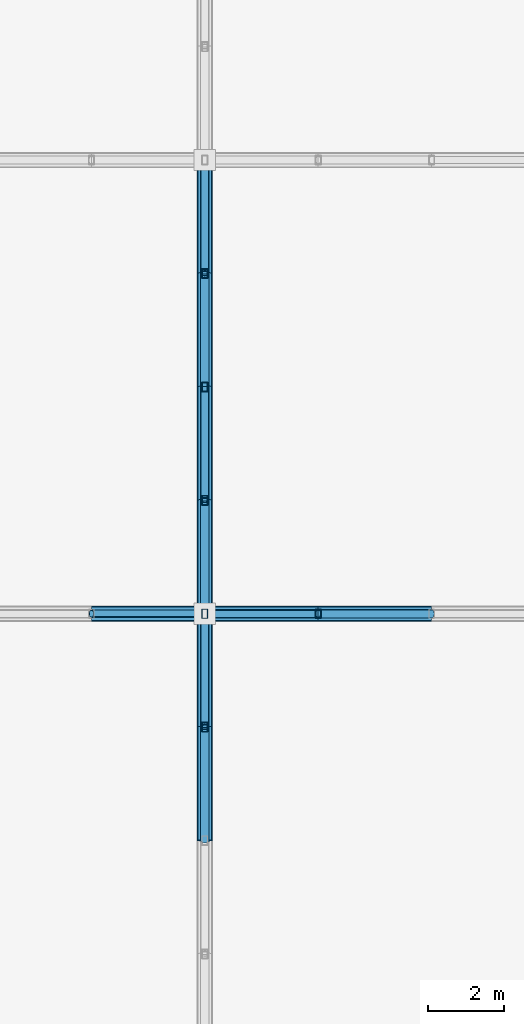
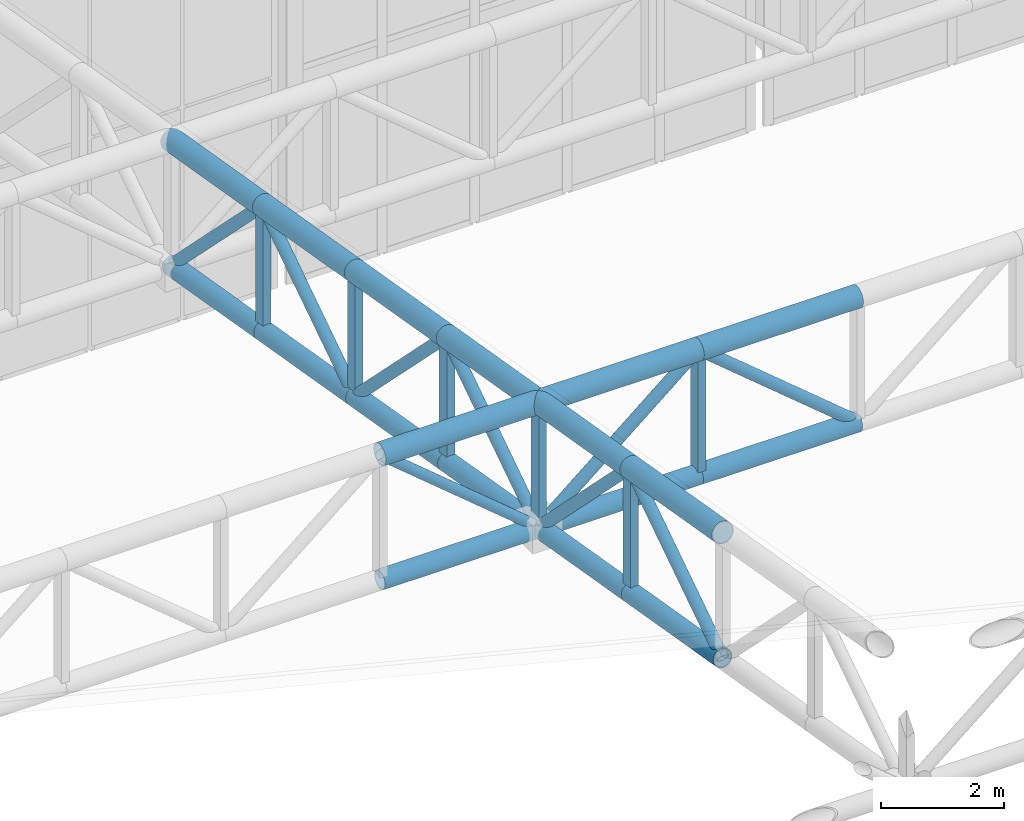
# One storey, part 121 of 239: 33 members.
"""IFC4 building model written with IfcOpenShell, lengths in metres."""

from ifc_helpers import new_model, si_unit, direction, frame, origin, origin_2d, place, context, subcontext, project, spatial, hollow_rectangle, hollow_circle, extrude, material, material_profile, profile_set, type_object, element, save


model = new_model("IFC4")

# Units and contexts
model_context = context("Model", 3, precision=1e-05, world=origin(), true_north=direction((0.0, 1.0)))
body_context = subcontext(model_context, "Body", "Model", "MODEL_VIEW")
ifc_project = project(units=[si_unit("LENGTHUNIT", "METRE"), si_unit("AREAUNIT", "SQUARE_METRE"), si_unit("VOLUMEUNIT", "CUBIC_METRE"), si_unit("PLANEANGLEUNIT", "RADIAN"), si_unit("MASSUNIT", "GRAM", prefix="KILO")], contexts=[model_context])

# Site, building, storey
site_placement = place(None, origin())
site = spatial("IfcSite", under=ifc_project, at=site_placement, CompositionType="ELEMENT")
building_placement = place(site_placement, origin())
building = spatial("IfcBuilding", under=site, at=building_placement, Name="Kaldris Quays Convention Centre", CompositionType="ELEMENT")
storey_placement = place(building_placement, frame((0.0, 0.0, 11.39990234375)))
storey = spatial("IfcBuildingStorey", under=building, at=storey_placement, Name="L02", CompositionType="ELEMENT", Elevation=11.39990234375)

# Members
ifc_material = material(Name="Steel S355J2H", Category="steel")
ifc_material_profile_1 = material_profile(ifc_material, hollow_circle(Radius=0.203125, WallThickness=0.01611328125, at=origin_2d()), Name="CHS 406.4x16")
ifc_profile_set_1 = profile_set([ifc_material_profile_1], Name="Steel S355J2H")
member_type_1 = type_object("IfcMemberType", Name="STRUCTURAL MEMBER SC01", PredefinedType="CHORD", material=ifc_profile_set_1)
for number, where, z_axis, x_axis, name in (
    (1, (107.0, 116.0, 13.7861328125), (1.0, 0.0, 0.0), (0.0, 1.0, 0.0), "SF-V1 Top Chord X 240"),
    (2, (110.0, 116.0, 13.7861328125), (1.0, 0.0, 0.0), (0.0, 1.0, 0.0), "SF-V1 Top Chord X 241"),
    (3, (113.0, 116.0, 13.7861328125), (1.0, 0.0, 0.0), (0.0, 1.0, 0.0), "SF-V1 Top Chord X 242"),
):
    element("IfcMember", number, at=place(storey_placement, frame(where, z_axis=z_axis, x_axis=x_axis)), inside=storey, type_object=member_type_1, Name=name, PredefinedType="CHORD", context=body_context, shape_type="SweptSolid", body=[
        extrude(hollow_circle(Radius=0.203125, WallThickness=0.01611328125, at=origin_2d()), origin(), (0.0, 0.0, 1.0), 3.0),
    ])
for number, where, z_axis, x_axis, name in (
    (4, (110.0, 110.0, 14.814697265625), (0.0, 0.98562912375, -0.168923741424), (-1.0, 0.0, 0.0), "SF-V1 Top Chord Y 495"),
    (5, (110.0, 113.0, 14.300537109375), (0.0, 0.985615766076, -0.169001661712), (-1.0, 0.0, 0.0), "SF-V1 Top Chord Y 496"),
    (6, (110.0, 116.0, 13.7861328125), (0.0, 0.98562912375, -0.168923741424), (-1.0, 0.0, 0.0), "SF-V1 Top Chord Y 497"),
    (7, (110.0, 119.0, 13.27197265625), (0.0, 0.985615766076, -0.169001661712), (-1.0, 0.0, 0.0), "SF-V1 Top Chord Y 498"),
    (8, (110.0, 122.0, 12.757568359375), (0.0, 0.98562912375, -0.168923741424), (-1.0, 0.0, 0.0), "SF-V1 Top Chord Y 499"),
    (9, (110.0, 125.0, 12.243408203125), (0.0, 0.985615766076, -0.169001661712), (-1.0, 0.0, 0.0), "SF-V1 Top Chord Y 500"),
):
    element("IfcMember", number, at=place(storey_placement, frame(where, z_axis=z_axis, x_axis=x_axis)), inside=storey, type_object=member_type_1, Name=name, PredefinedType="CHORD", context=body_context, shape_type="SweptSolid", body=[
        extrude(hollow_circle(Radius=0.203125, WallThickness=0.01611328125, at=origin_2d()), origin(), (0.0, 0.0, 1.0), 3.043701171875),
    ])
ifc_material_profile_2 = material_profile(ifc_material, hollow_circle(Radius=0.177734375, WallThickness=0.01611328125, at=origin_2d()), Name="CHS 355.6x16")
ifc_profile_set_2 = profile_set([ifc_material_profile_2], Name="Steel S355J2H")
member_type_2 = type_object("IfcMemberType", Name="STRUCTURAL MEMBER SC02", PredefinedType="CHORD", material=ifc_profile_set_2)
for number, where, z_axis, x_axis, name in (
    (10, (107.0, 116.0, 11.2861328125), (1.0, 0.0, 0.0), (0.0, 1.0, 0.0), "SF-V1 Bottom Chord X 240"),
    (11, (110.0, 116.0, 11.2861328125), (1.0, 0.0, 0.0), (0.0, 1.0, 0.0), "SF-V1 Bottom Chord X 241"),
    (12, (113.0, 116.0, 11.2861328125), (1.0, 0.0, 0.0), (0.0, 1.0, 0.0), "SF-V1 Bottom Chord X 242"),
):
    element("IfcMember", number, at=place(storey_placement, frame(where, z_axis=z_axis, x_axis=x_axis)), inside=storey, type_object=member_type_2, Name=name, PredefinedType="CHORD", context=body_context, shape_type="SweptSolid", body=[
        extrude(hollow_circle(Radius=0.177734375, WallThickness=0.01611328125, at=origin_2d()), origin(), (0.0, 0.0, 1.0), 3.0),
    ])
for number, where, z_axis, x_axis, name in (
    (13, (110.0, 110.0, 12.314697265625), (0.0, 0.98562912375, -0.168923741424), (-1.0, 0.0, 0.0), "SF-V1 Bottom Chord Y 495"),
    (14, (110.0, 113.0, 11.800537109375), (0.0, 0.985615766076, -0.169001661712), (-1.0, 0.0, 0.0), "SF-V1 Bottom Chord Y 496"),
    (15, (110.0, 116.0, 11.2861328125), (0.0, 0.98562912375, -0.168923741424), (-1.0, 0.0, 0.0), "SF-V1 Bottom Chord Y 497"),
    (16, (110.0, 119.0, 10.77197265625), (0.0, 0.985615766076, -0.169001661712), (-1.0, 0.0, 0.0), "SF-V1 Bottom Chord Y 498"),
    (17, (110.0, 122.0, 10.257568359375), (0.0, 0.98562912375, -0.168923741424), (-1.0, 0.0, 0.0), "SF-V1 Bottom Chord Y 499"),
    (18, (110.0, 125.0, 9.743408203125), (0.0, 0.985615766076, -0.169001661712), (-1.0, 0.0, 0.0), "SF-V1 Bottom Chord Y 500"),
):
    element("IfcMember", number, at=place(storey_placement, frame(where, z_axis=z_axis, x_axis=x_axis)), inside=storey, type_object=member_type_2, Name=name, PredefinedType="CHORD", context=body_context, shape_type="SweptSolid", body=[
        extrude(hollow_circle(Radius=0.177734375, WallThickness=0.01611328125, at=origin_2d()), origin(), (0.0, 0.0, 1.0), 3.043701171875),
    ])
ifc_material_profile_3 = material_profile(ifc_material, hollow_circle(Radius=0.109619140625, WallThickness=0.010009765625, at=origin_2d()), Name="CHS 219.1x10")
ifc_profile_set_3 = profile_set([ifc_material_profile_3], Name="Steel S355J2H")
member_type_3 = type_object("IfcMemberType", Name="STRUCTURAL MEMBER SWB1", PredefinedType="BRACE", material=ifc_profile_set_3)
for number, where, z_axis, x_axis, name in (
    (19, (110.0, 116.0, 11.2861328125), (0.768221279597, 0.0, 0.640184399664), (0.0, 1.0, 0.0), "SF-V1 Web Diagonal X 241"),
    (20, (116.0, 116.0, 11.2861328125), (-0.768221279597, 0.0, 0.640184399664), (0.0, -1.0, 0.0), "SF-V1 Web Diagonal X 242"),
):
    element("IfcMember", number, at=place(storey_placement, frame(where, z_axis=z_axis, x_axis=x_axis)), inside=storey, type_object=member_type_3, Name=name, PredefinedType="BRACE", context=body_context, shape_type="SweptSolid", body=[
        extrude(hollow_circle(Radius=0.109619140625, WallThickness=0.010009765625, at=origin_2d()), origin(), (0.0, 0.0, 1.0), 3.905029296875),
    ])
member_1_placement = place(storey_placement, frame((110.0, 110.0, 12.314697265625), z_axis=(0.0, 0.833862389808, 0.551972385962), x_axis=(-1.0, 0.0, 0.0)))
element("IfcMember", 21, at=member_1_placement, inside=storey, type_object=member_type_3, Name="SF-V1 Web Diagonal Y 495", PredefinedType="BRACE", context=body_context, shape_type="SweptSolid", body=[
    extrude(hollow_circle(Radius=0.109619140625, WallThickness=0.010009765625, at=origin_2d()), origin(), (0.0, 0.0, 1.0), 3.59765625),
])
member_2_placement = place(storey_placement, frame((110.0, 116.0, 11.2861328125), z_axis=(0.0, -0.705411261057, 0.708798245465), x_axis=(1.0, 0.0, 0.0)))
element("IfcMember", 22, at=member_2_placement, inside=storey, type_object=member_type_3, Name="SF-V1 Web Diagonal Y 496", PredefinedType="BRACE", context=body_context, shape_type="SweptSolid", body=[
    extrude(hollow_circle(Radius=0.109619140625, WallThickness=0.010009765625, at=origin_2d()), origin(), (0.0, 0.0, 1.0), 4.2529296875),
])
member_3_placement = place(storey_placement, frame((110.0, 116.0, 11.2861328125), z_axis=(0.0, 0.833862389808, 0.551972385962), x_axis=(-1.0, 0.0, 0.0)))
element("IfcMember", 23, at=member_3_placement, inside=storey, type_object=member_type_3, Name="SF-V1 Web Diagonal Y 497", PredefinedType="BRACE", context=body_context, shape_type="SweptSolid", body=[
    extrude(hollow_circle(Radius=0.109619140625, WallThickness=0.010009765625, at=origin_2d()), origin(), (0.0, 0.0, 1.0), 3.59765625),
])
member_4_placement = place(storey_placement, frame((110.0, 122.0, 10.257568359375), z_axis=(0.0, -0.705411261057, 0.708798245465), x_axis=(1.0, 0.0, 0.0)))
element("IfcMember", 24, at=member_4_placement, inside=storey, type_object=member_type_3, Name="SF-V1 Web Diagonal Y 498", PredefinedType="BRACE", context=body_context, shape_type="SweptSolid", body=[
    extrude(hollow_circle(Radius=0.109619140625, WallThickness=0.010009765625, at=origin_2d()), origin(), (0.0, 0.0, 1.0), 4.2529296875),
])
member_5_placement = place(storey_placement, frame((110.0, 122.0, 10.257568359375), z_axis=(0.0, 0.833862389808, 0.551972385962), x_axis=(-1.0, 0.0, 0.0)))
element("IfcMember", 25, at=member_5_placement, inside=storey, type_object=member_type_3, Name="SF-V1 Web Diagonal Y 499", PredefinedType="BRACE", context=body_context, shape_type="SweptSolid", body=[
    extrude(hollow_circle(Radius=0.109619140625, WallThickness=0.010009765625, at=origin_2d()), origin(), (0.0, 0.0, 1.0), 3.59765625),
])
member_6_placement = place(storey_placement, frame((110.0, 128.0, 9.22900390625), z_axis=(0.0, -0.705411261057, 0.708798245465), x_axis=(1.0, 0.0, 0.0)))
element("IfcMember", 26, at=member_6_placement, inside=storey, type_object=member_type_3, Name="SF-V1 Web Diagonal Y 500", PredefinedType="BRACE", context=body_context, shape_type="SweptSolid", body=[
    extrude(hollow_circle(Radius=0.109619140625, WallThickness=0.010009765625, at=origin_2d()), origin(), (0.0, 0.0, 1.0), 4.2529296875),
])
ifc_material_profile_4 = material_profile(ifc_material, hollow_circle(Radius=0.096923828125, WallThickness=0.008056640625, at=origin_2d()), Name="CHS 193.7x8")
ifc_profile_set_4 = profile_set([ifc_material_profile_4], Name="Steel S355J2H")
member_type_4 = type_object("IfcMemberType", Name="STRUCTURAL MEMBER SWB3", PredefinedType="BRACE", material=ifc_profile_set_4)
member_7_placement = place(storey_placement, frame((110.0, 116.0, 11.2861328125), z_axis=(-0.768221279597, 0.0, 0.640184399664), x_axis=(0.0, -1.0, 0.0)))
element("IfcMember", 27, at=member_7_placement, inside=storey, type_object=member_type_4, Name="SF-V1 Web Diagonal X 240", PredefinedType="BRACE", context=body_context, shape_type="SweptSolid", body=[
    extrude(hollow_circle(Radius=0.096923828125, WallThickness=0.008056640625, at=origin_2d()), origin(), (0.0, 0.0, 1.0), 3.905029296875),
])
ifc_material_profile_5 = material_profile(ifc_material, hollow_rectangle(XDim=0.14990234375, YDim=0.25, WallThickness=0.010009765625, at=origin_2d()), Name="RHS 250x150x10")
ifc_profile_set_5 = profile_set([ifc_material_profile_5], Name="Steel S355J2H")
member_type_5 = type_object("IfcMemberType", Name="STRUCTURAL MEMBER TTV1", PredefinedType="POST", material=ifc_profile_set_5)
for number, where, z_axis, x_axis, name in (
    (28, (110.0, 113.0, 11.800537109375), (0.0, 0.0, 1.0), (1.0, 0.0, 0.0), "SF-V1 Space-Frame Post 365"),
    (29, (110.0, 116.0, 11.2861328125), (0.0, 0.0, 1.0), (1.0, 0.0, 0.0), "SF-V1 Space-Frame Post 366"),
    (30, (110.0, 119.0, 10.77197265625), (0.0, 0.0, 1.0), (1.0, 0.0, 0.0), "SF-V1 Space-Frame Post 367"),
    (31, (110.0, 122.0, 10.257568359375), (0.0, 0.0, 1.0), (1.0, 0.0, 0.0), "SF-V1 Space-Frame Post 368"),
    (32, (110.0, 125.0, 9.743408203125), (0.0, 0.0, 1.0), (1.0, 0.0, 0.0), "SF-V1 Space-Frame Post 369"),
    (33, (113.0, 116.0, 11.2861328125), (0.0, 0.0, 1.0), (1.0, 0.0, 0.0), "SF-V1 Space-Frame Post 380"),
):
    element("IfcMember", number, at=place(storey_placement, frame(where, z_axis=z_axis, x_axis=x_axis)), inside=storey, type_object=member_type_5, Name=name, PredefinedType="POST", context=body_context, shape_type="SweptSolid", body=[
        extrude(hollow_rectangle(XDim=0.14990234375, YDim=0.25, WallThickness=0.010009765625, at=origin_2d()), origin(), (0.0, 0.0, 1.0), 2.5),
    ])

save(model, "model.ifc")
